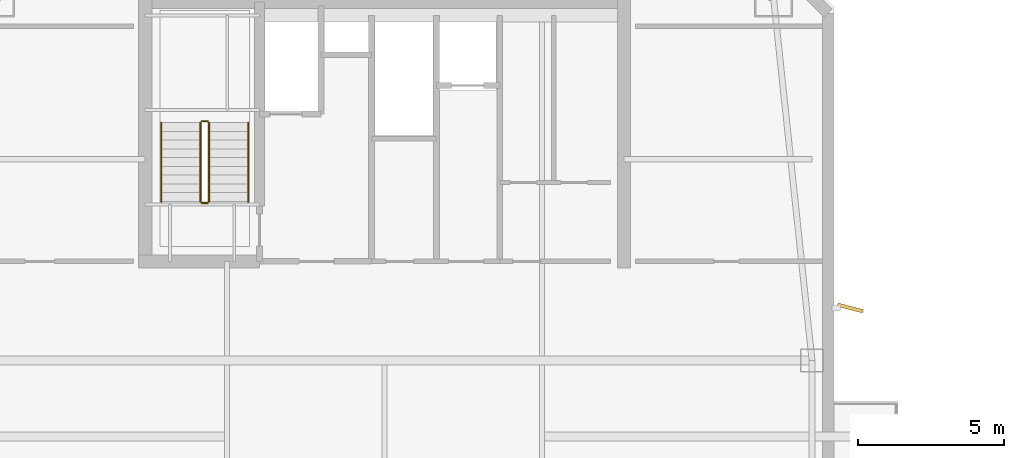
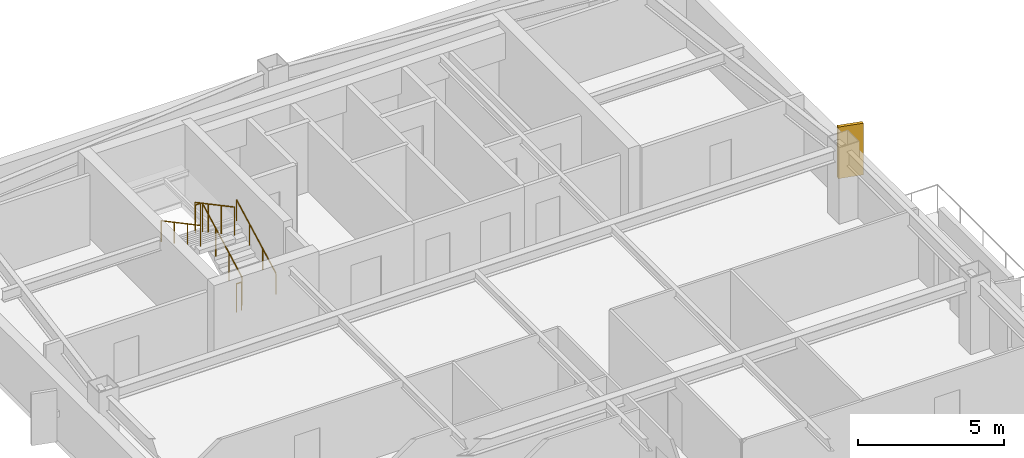
# One storey, part 15 of 17: 6 railings, 1 shading device.
"""IFC4 building model written with IfcOpenShell, lengths in metres."""

from ifc_helpers import new_model, si_unit, direction, frame, origin, origin_2d, place, context, subcontext, project, spatial, rectangle, circle, extrude, material, layer, layer_set, type_object, element, save


model = new_model("IFC4")

# Units and contexts
model_context = context("Model", 3, precision=1e-05, world=origin(), true_north=direction((0.0, 1.0)))
body_context = subcontext(model_context, "Body", "Model", "MODEL_VIEW")
ifc_project = project(units=[si_unit("LENGTHUNIT", "METRE"), si_unit("AREAUNIT", "SQUARE_METRE"), si_unit("VOLUMEUNIT", "CUBIC_METRE"), si_unit("PLANEANGLEUNIT", "RADIAN"), si_unit("MASSUNIT", "GRAM", prefix="KILO")], contexts=[model_context])

# Site, building, storey
site_placement = place(None, origin())
site = spatial("IfcSite", under=ifc_project, at=site_placement, CompositionType="ELEMENT")
building_placement = place(site_placement, origin())
building = spatial("IfcBuilding", under=site, at=building_placement, Name="Qiaolan Cultural Towers", CompositionType="ELEMENT")
storey_placement = place(building_placement, frame((0.0, 0.0, 247.199951171875)))
storey = spatial("IfcBuildingStorey", under=building, at=storey_placement, Name="L67", CompositionType="ELEMENT", Elevation=247.199951171875)

# Railings
ifc_material_1 = material(Name="Galvanized Painted Steel Stair Guardrail", Category="steel")
railing_type_1 = type_object("IfcRailingType", Name="RL-STAIR-GRD", PredefinedType="GUARDRAIL", material=ifc_material_1)
railing_1_placement = place(storey_placement, frame((23.989990234375, 48.449951171875, 0.16015625)))
element("IfcRailing", 1, at=railing_1_placement, inside=storey, type_object=railing_type_1, Name="L67 ST-W2 stair guard 1", PredefinedType="GUARDRAIL", context=body_context, shape_type="SweptSolid", body=[
    extrude(circle(Radius=0.02392578125, at=origin_2d()), frame((0.0, 0.0, 1.17578125), z_axis=(0.0, 0.882357358376, 0.470579952952), x_axis=(-1.0, 0.0, 0.0)), (0.0, 0.0, 1.0), 3.059814453125),
    extrude(circle(Radius=0.02099609375, at=origin_2d()), origin(), (0.0, 0.0, 1.0), 1.15185546875),
    extrude(circle(Radius=0.02099609375, at=origin_2d()), frame((0.0, 0.89990234375, 0.47998046875)), (0.0, 0.0, 1.0), 1.15185546875),
    extrude(circle(Radius=0.02099609375, at=origin_2d()), frame((0.0, 1.800048828125, 0.9599609375)), (0.0, 0.0, 1.0), 1.15185546875),
    extrude(circle(Radius=0.02099609375, at=origin_2d()), frame((0.0, 2.699951171875, 1.43994140625)), (0.0, 0.0, 1.0), 1.15185546875),
])
railing_2_placement = place(storey_placement, frame((23.93994140625, 51.199951171875, 1.60009765625)))
element("IfcRailing", 2, at=railing_2_placement, inside=storey, type_object=railing_type_1, Name="L67 ST-W2 stair guard 2", PredefinedType="GUARDRAIL", context=body_context, shape_type="SweptSolid", body=[
    extrude(circle(Radius=0.02392578125, at=origin_2d()), frame((0.0, 0.0, 1.17578125), z_axis=(-1.0, 0.0, 0.0), x_axis=(0.0, -1.0, 0.0)), (0.0, 0.0, 1.0), 0.199951171875),
    extrude(circle(Radius=0.02099609375, at=origin_2d()), origin(), (0.0, 0.0, 1.0), 1.15185546875),
    extrude(circle(Radius=0.02099609375, at=origin_2d()), frame((-0.199951171875, 0.0, 0.0)), (0.0, 0.0, 1.0), 1.15185546875),
])
railing_3_placement = place(storey_placement, frame((23.68994140625, 51.14990234375, 1.760009765625)))
element("IfcRailing", 3, at=railing_3_placement, inside=storey, type_object=railing_type_1, Name="L67 ST-W2 stair guard 3", PredefinedType="GUARDRAIL", context=body_context, shape_type="SweptSolid", body=[
    extrude(circle(Radius=0.02392578125, at=origin_2d()), frame((0.0, 0.0, 1.17578125), z_axis=(0.0, -0.882357358376, 0.470579952952), x_axis=(1.0, 0.0, 0.0)), (0.0, 0.0, 1.0), 3.059814453125),
    extrude(circle(Radius=0.02099609375, at=origin_2d()), origin(), (0.0, 0.0, 1.0), 1.15185546875),
    extrude(circle(Radius=0.02099609375, at=origin_2d()), frame((0.0, -0.89990234375, 0.47998046875)), (0.0, 0.0, 1.0), 1.15185546875),
    extrude(circle(Radius=0.02099609375, at=origin_2d()), frame((0.0, -1.800048828125, 0.9599609375)), (0.0, 0.0, 1.0), 1.15185546875),
    extrude(circle(Radius=0.02099609375, at=origin_2d()), frame((0.0, -2.699951171875, 1.43994140625)), (0.0, 0.0, 1.0), 1.15185546875),
])
railing_4_placement = place(storey_placement, frame((23.93994140625, 48.39990234375, 0.0)))
element("IfcRailing", 4, at=railing_4_placement, inside=storey, type_object=railing_type_1, Name="L67 ST-W2 stair guard 4", PredefinedType="GUARDRAIL", context=body_context, shape_type="SweptSolid", body=[
    extrude(circle(Radius=0.02392578125, at=origin_2d()), frame((0.0, 0.0, 1.17578125), z_axis=(-1.0, 0.0, 0.0), x_axis=(0.0, -1.0, 0.0)), (0.0, 0.0, 1.0), 0.199951171875),
    extrude(circle(Radius=0.02099609375, at=origin_2d()), origin(), (0.0, 0.0, 1.0), 1.15185546875),
    extrude(circle(Radius=0.02099609375, at=origin_2d()), frame((-0.199951171875, 0.0, 0.0)), (0.0, 0.0, 1.0), 1.15185546875),
])
ifc_material_2 = material(Name="Stainless Steel S30408 Tubular Handrail", Category="steel")
railing_type_2 = type_object("IfcRailingType", Name="RL-STAIR-HR", PredefinedType="HANDRAIL", material=ifc_material_2)
railing_5_placement = place(storey_placement, frame((25.330078125, 48.449951171875, 0.16015625)))
element("IfcRailing", 5, at=railing_5_placement, inside=storey, type_object=railing_type_2, Name="L67 ST-W2 stair handrail 1", PredefinedType="HANDRAIL", context=body_context, shape_type="SweptSolid", body=[
    extrude(circle(Radius=0.02392578125, at=origin_2d()), frame((0.0, 0.0, 0.8759765625), z_axis=(0.0, 0.882357358376, 0.470579952952), x_axis=(-1.0, 0.0, 0.0)), (0.0, 0.0, 1.0), 3.059814453125),
    extrude(circle(Radius=0.02099609375, at=origin_2d()), origin(), (0.0, 0.0, 1.0), 0.851806640625),
    extrude(circle(Radius=0.02099609375, at=origin_2d()), frame((0.0, 0.89990234375, 0.47998046875)), (0.0, 0.0, 1.0), 0.851806640625),
    extrude(circle(Radius=0.02099609375, at=origin_2d()), frame((0.0, 1.800048828125, 0.9599609375)), (0.0, 0.0, 1.0), 0.851806640625),
    extrude(circle(Radius=0.02099609375, at=origin_2d()), frame((0.0, 2.699951171875, 1.43994140625)), (0.0, 0.0, 1.0), 0.851806640625),
])
railing_6_placement = place(storey_placement, frame((22.35009765625, 51.14990234375, 1.760009765625)))
element("IfcRailing", 6, at=railing_6_placement, inside=storey, type_object=railing_type_2, Name="L67 ST-W2 stair handrail 2", PredefinedType="HANDRAIL", context=body_context, shape_type="SweptSolid", body=[
    extrude(circle(Radius=0.02392578125, at=origin_2d()), frame((0.0, 0.0, 0.8759765625), z_axis=(0.0, -0.882357358376, 0.470579952952), x_axis=(1.0, 0.0, 0.0)), (0.0, 0.0, 1.0), 3.059814453125),
    extrude(circle(Radius=0.02099609375, at=origin_2d()), origin(), (0.0, 0.0, 1.0), 0.851806640625),
    extrude(circle(Radius=0.02099609375, at=origin_2d()), frame((0.0, -0.89990234375, 0.47998046875)), (0.0, 0.0, 1.0), 0.851806640625),
    extrude(circle(Radius=0.02099609375, at=origin_2d()), frame((0.0, -1.800048828125, 0.9599609375)), (0.0, 0.0, 1.0), 0.851806640625),
    extrude(circle(Radius=0.02099609375, at=origin_2d()), frame((0.0, -2.699951171875, 1.43994140625)), (0.0, 0.0, 1.0), 0.851806640625),
])

# Shading device
ifc_material_3 = material(Name="Light Limestone Precast Vertical Fin", Category="masonry")
ifc_layer = layer(ifc_material_3, 0.1201171875)
ifc_layer_set = layer_set([ifc_layer], Name="Light Limestone Precast Vertical Fin")
shading_device_type = type_object("IfcShadingDeviceType", Name="SHD-FIN-WHITE", PredefinedType="USERDEFINED", material=ifc_layer_set)
shading_device_placement = place(storey_placement, frame((45.9599609375, 44.800048828125, 0.10009765625), z_axis=(0.0, 0.0, 1.0), x_axis=(0.966947591282, -0.254975206077, 0.0)))
element("IfcShadingDevice", 7, at=shading_device_placement, inside=storey, type_object=shading_device_type, Name="L67 T1 Expressive Precast Vertical Fin E3", ObjectType="FIN", PredefinedType="USERDEFINED", context=body_context, shape_type="SweptSolid", body=[
    extrude(rectangle(XDim=0.89990234375, YDim=0.1201171875, at=origin_2d()), origin(), (0.0, 0.0, 1.0), 2.159912109375),
])

save(model, "model.ifc")
